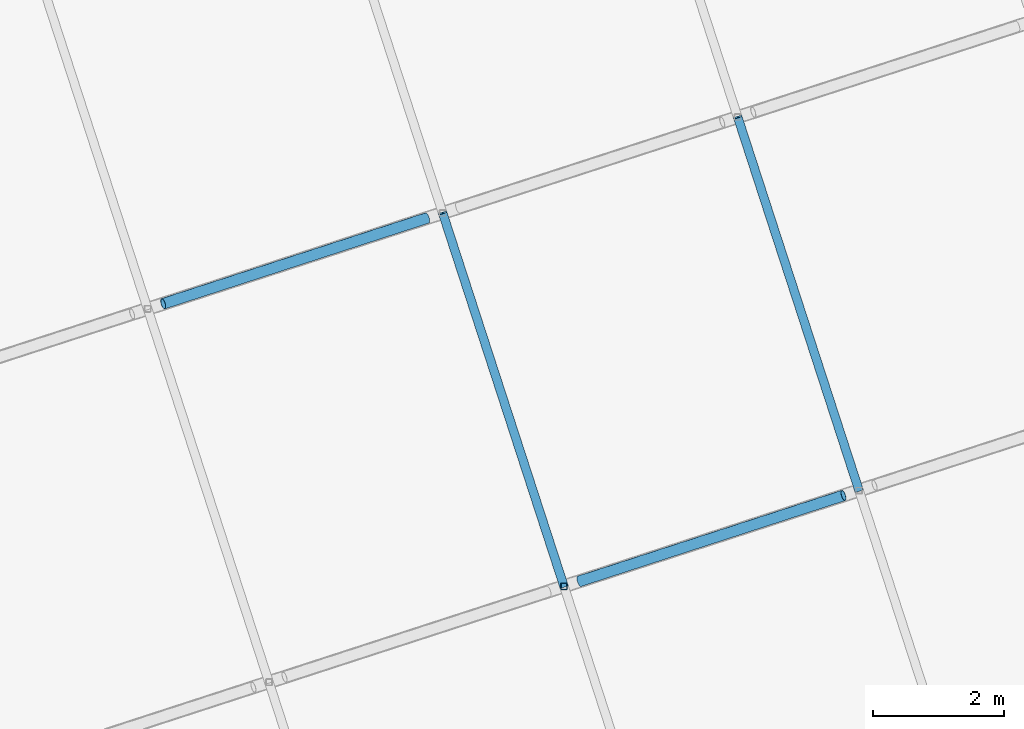
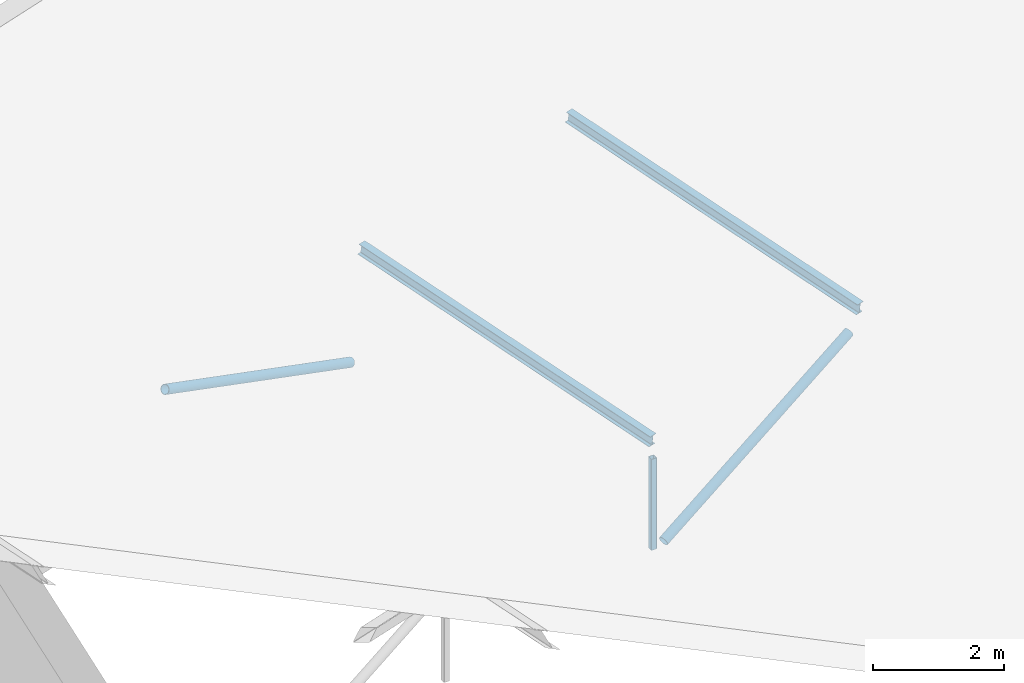
# One storey, part 6 of 55: 5 members.
"""IFC4 building model written with IfcOpenShell, lengths in metres."""

import ifcopenshell
import ifcopenshell.guid

model = None  # the IFC model being written
_history = None  # IfcOwnerHistory: only IFC2X3 demands one
_inside = {}  # id of a spatial element -> (the spatial element, [elements in it])
_under = {}  # id of a project, library or spatial element -> (it, [spatial elements below it])
_declared = {}  # id of a project -> (the project, [libraries it declares])
_typed = {}  # id of a type object -> (the type object, [elements of that type])
_made_of = {}  # id of a material, layer set ... -> (it, [elements and type objects made of it])


def new_model(schema):
    """Start an empty IFC model of exactly this schema.

    Asked for "IFC4X3", IfcOpenShell would pick the latest addendum, in which some entities
    have other attributes; the version numbers below select the first issue.
    IFC2X3 requires an IfcOwnerHistory on every rooted entity: one is made here for all.
    """
    global model, _history
    if schema == "IFC4X3":
        model = ifcopenshell.file(schema_version=(4, 3, 0, 0))
    else:
        model = ifcopenshell.file(schema=schema)
    _inside.clear()
    _under.clear()
    _declared.clear()
    _typed.clear()
    _made_of.clear()
    _history = None
    if model.schema == "IFC2X3":
        org = make("IfcOrganization", Name="unknown")
        user = make(
            "IfcPersonAndOrganization",
            ThePerson=make("IfcPerson", FamilyName="unknown"),
            TheOrganization=org,
        )
        app = make(
            "IfcApplication",
            ApplicationDeveloper=org,
            Version="unknown",
            ApplicationFullName="unknown",
            ApplicationIdentifier="unknown",
        )
        _history = make(
            "IfcOwnerHistory",
            OwningUser=user,
            OwningApplication=app,
            ChangeAction="ADDED",
            CreationDate=0,
        )
    return model


def make(cls, **values):
    """One entity of the class cls with the attributes given. An attribute that is None is left unset."""
    return model.create_entity(
        cls, **{name: value for name, value in values.items() if value is not None}
    )


def rooted(cls, **values):
    """An entity with a GlobalId (a new one), such as an element, a storey or a relation."""
    return make(cls, GlobalId=ifcopenshell.guid.new(), OwnerHistory=_history, **values)


def si_unit(unit_type, name, prefix=None):
    """IfcSIUnit, for example si_unit("LENGTHUNIT", "METRE", prefix="MILLI")."""
    return make("IfcSIUnit", UnitType=unit_type, Prefix=prefix, Name=name)


def assignment(units):
    """IfcUnitAssignment: the units of a project."""
    return None if units is None else make("IfcUnitAssignment", Units=units)


def point(xyz):
    """IfcCartesianPoint."""
    return None if xyz is None else make("IfcCartesianPoint", Coordinates=xyz)


def direction(xyz):
    """IfcDirection."""
    return None if xyz is None else make("IfcDirection", DirectionRatios=xyz)


def frame(location, z_axis=None, x_axis=None):
    """IfcAxis2Placement3D, a coordinate frame: its origin and axes. An axis left out is left unset."""
    return make(
        "IfcAxis2Placement3D",
        Location=point(location),
        Axis=direction(z_axis),
        RefDirection=direction(x_axis),
    )


def frame_2d(location, x_axis=None):
    """IfcAxis2Placement2D, a coordinate frame in the plane: its origin and x axis."""
    return make(
        "IfcAxis2Placement2D", Location=point(location), RefDirection=direction(x_axis)
    )


def origin():
    """The frame at (0, 0, 0) with its axes left unset."""
    return frame((0.0, 0.0, 0.0))


def origin_2d():
    """The frame at (0, 0) in the plane with its x axis left unset."""
    return frame_2d((0.0, 0.0))


def place(relative_to, where):
    """IfcLocalPlacement: puts the frame where relative to a parent placement (None: the world)."""
    return make(
        "IfcLocalPlacement", PlacementRelTo=relative_to, RelativePlacement=where
    )


def context(
    kind, dimensions, precision=None, world=None, true_north=None, identifier=None
):
    """IfcGeometricRepresentationContext, for example the 3D "Model" context."""
    return make(
        "IfcGeometricRepresentationContext",
        ContextIdentifier=identifier,
        ContextType=kind,
        CoordinateSpaceDimension=dimensions,
        Precision=precision,
        WorldCoordinateSystem=world,
        TrueNorth=true_north,
    )


def subcontext(parent, identifier, kind, view, scale=None):
    """IfcGeometricRepresentationSubContext, for example "Body" below "Model"."""
    return make(
        "IfcGeometricRepresentationSubContext",
        ContextIdentifier=identifier,
        ContextType=kind,
        ParentContext=parent,
        TargetScale=scale,
        TargetView=view,
    )


def project(units=None, contexts=None):
    """IfcProject with its units and contexts."""
    return rooted(
        "IfcProject",
        Name="project",
        RepresentationContexts=contexts,
        UnitsInContext=assignment(units),
    )


def spatial(cls, under=None, at=None, **own):
    """A site, building, storey or space (cls), placed at a placement, below another one or the project."""
    s = rooted(cls, ObjectPlacement=at, **own)
    if under is not None:
        _under.setdefault(under.id(), (under, []))[1].append(s)
    return s


def profile(cls, at=None, kind="AREA", **sizes):
    """A parametric profile (cls). Its sizes go by their IFC names, for example OverallWidth=200.0."""
    return make(cls, ProfileType=kind, Position=at, **sizes)


def hollow_rectangle(**sizes):
    """IfcRectangleHollowProfileDef."""
    return profile("IfcRectangleHollowProfileDef", **sizes)


def hollow_circle(**sizes):
    """IfcCircleHollowProfileDef."""
    return profile("IfcCircleHollowProfileDef", **sizes)


def i_section(**sizes):
    """IfcIShapeProfileDef."""
    return profile("IfcIShapeProfileDef", **sizes)


def extrude(swept, where, along, depth):
    """IfcExtrudedAreaSolid: the profile swept, set in the frame where, extruded along a direction by depth."""
    return make(
        "IfcExtrudedAreaSolid",
        SweptArea=swept,
        Position=where,
        ExtrudedDirection=direction(along),
        Depth=depth,
    )


def shape(context_of_items, identifier, shape_type, items):
    """IfcShapeRepresentation: the items that make up one representation, for example the "Body"."""
    return make(
        "IfcShapeRepresentation",
        ContextOfItems=context_of_items,
        RepresentationIdentifier=identifier,
        RepresentationType=shape_type,
        Items=items,
    )


def material(Name=None, Category=None):
    """IfcMaterial."""
    return make("IfcMaterial", Name=Name, Category=Category)


def material_profile(
    of_material, cross_section, Name=None, Category=None, Priority=None
):
    """IfcMaterialProfile: a cross section and its material."""
    return make(
        "IfcMaterialProfile",
        Name=Name,
        Material=of_material,
        Profile=cross_section,
        Priority=Priority,
        Category=Category,
    )


def profile_set(profiles, Name=None, composite=None):
    """IfcMaterialProfileSet."""
    return make(
        "IfcMaterialProfileSet",
        Name=Name,
        MaterialProfiles=profiles,
        CompositeProfile=composite,
    )


def made_of(thing, what):
    """Note that an element or type object is made of a material, layer set ...; save() writes the relation."""
    if what is not None:
        _made_of.setdefault(what.id(), (what, []))[1].append(thing)
    return thing


def type_object(cls, material=None, **own):
    """A type object (cls), such as IfcWallType, which elements share."""
    return made_of(rooted(cls, **own), material)


def element(
    cls,
    number,
    at=None,
    inside=None,
    cuts=None,
    type_object=None,
    material=None,
    context=None,
    identifier="Body",
    shape_type=None,
    held_by="IfcProductDefinitionShape",
    body=None,
    shapes=None,
    **own,
):
    """One element of the class cls, such as IfcWall. Its Tag is "e" and its number.

    at: its placement. inside: the storey or other place that contains it. cuts: it is an
    opening in that element (IfcRelVoidsElement). A single representation is given by context,
    identifier, shape_type and body (its items); several are given by shapes. held_by: the class
    of the entity that holds the representations. save() writes the other relations.
    """
    e = rooted(cls, Tag="e%d" % number, ObjectPlacement=at, **own)
    if body is not None:
        shapes = [shape(context, identifier, shape_type, body)]
    if shapes is not None:
        e.Representation = make(held_by, Representations=shapes)
    if inside is not None:
        _inside.setdefault(inside.id(), (inside, []))[1].append(e)
    if cuts is not None:
        rooted(
            "IfcRelVoidsElement", RelatingBuildingElement=cuts, RelatedOpeningElement=e
        )
    if type_object is not None:
        _typed.setdefault(type_object.id(), (type_object, []))[1].append(e)
    return made_of(e, material)


def aggregate(whole, parts):
    """IfcRelAggregates: a whole, such as a stair, and the parts it consists of."""
    return rooted("IfcRelAggregates", RelatingObject=whole, RelatedObjects=parts)


def save(model, path):
    """Write the relations noted so far, then the file.

    IfcRelAggregates (storeys below a building ...), IfcRelContainedInSpatialStructure (elements
    in a storey), IfcRelDefinesByType, IfcRelAssociatesMaterial and IfcRelDeclares: one each for
    every whole, place, type object, material and project.
    """
    for whole, parts in _under.values():
        aggregate(whole, parts)
    for where, things in _inside.values():
        rooted(
            "IfcRelContainedInSpatialStructure",
            RelatedElements=things,
            RelatingStructure=where,
        )
    for kind, things in _typed.values():
        rooted("IfcRelDefinesByType", RelatedObjects=things, RelatingType=kind)
    for what, things in _made_of.values():
        rooted("IfcRelAssociatesMaterial", RelatedObjects=things, RelatingMaterial=what)
    for by, libraries in _declared.values():
        rooted("IfcRelDeclares", RelatingContext=by, RelatedDefinitions=libraries)
    model.write(path)


model = new_model("IFC4")

# Units and contexts
model_context = context("Model", 3, precision=1e-05, world=origin(), true_north=direction((0.0, 1.0)))
body_context = subcontext(model_context, "Body", "Model", "MODEL_VIEW")
ifc_project = project(units=[si_unit("LENGTHUNIT", "METRE"), si_unit("AREAUNIT", "SQUARE_METRE"), si_unit("VOLUMEUNIT", "CUBIC_METRE"), si_unit("PLANEANGLEUNIT", "RADIAN"), si_unit("MASSUNIT", "GRAM", prefix="KILO")], contexts=[model_context])

# Site, building, storey
site_placement = place(None, origin())
site = spatial("IfcSite", under=ifc_project, at=site_placement, CompositionType="ELEMENT")
building_placement = place(site_placement, origin())
building = spatial("IfcBuilding", under=site, at=building_placement, Name="Tuart Plaza Theatre", CompositionType="ELEMENT")
storey_placement = place(building_placement, frame((0.0, 0.0, 21.5)))
storey = spatial("IfcBuildingStorey", under=building, at=storey_placement, Name="L05", CompositionType="ELEMENT", Elevation=21.5)

# Members
ifc_material_1 = material(Name="Steel Grade C350L0", Category="steel")
ifc_material_profile_1 = material_profile(ifc_material_1, hollow_circle(Radius=0.084228515625, WallThickness=0.00634765625, at=origin_2d()), Name="168.3x6.4 CHS")
ifc_profile_set_1 = profile_set([ifc_material_profile_1], Name="Steel Grade C350L0")
member_type_1 = type_object("IfcMemberType", Name="MEMBER Brace 168.3x6.4 CHS", PredefinedType="BRACE", material=ifc_profile_set_1)
for number, where, z_axis, x_axis, name in (
    (1, (54.8828125, 59.3583984375, -0.1083984375), (0.882822840615, 0.286849316519, 0.371942605385), (-0.309019710385, 0.951055633806, 0.0), "BR15"),
    (2, (48.51904296875, 63.599609375, 2.3837890625), (0.882822840615, 0.286849316519, -0.371942605385), (-0.309019710385, 0.951055633806, 0.0), "BR20"),
):
    element("IfcMember", number, at=place(storey_placement, frame(where, z_axis=z_axis, x_axis=x_axis)), inside=storey, type_object=member_type_1, Name=name, PredefinedType="BRACE", context=body_context, shape_type="SweptSolid", body=[
        extrude(hollow_circle(Radius=0.084228515625, WallThickness=0.00634765625, at=origin_2d()), origin(), (0.0, 0.0, 1.0), 4.570556640625),
    ])
ifc_material_2 = material(Name="Steel Grade C350L0", Category="steel")
ifc_material_profile_2 = material_profile(ifc_material_2, hollow_rectangle(XDim=0.10009765625, YDim=0.10009765625, WallThickness=0.006103515625, InnerFilletRadius=0.006103515625, OuterFilletRadius=0.011962890625, at=origin_2d()), Name="100x100x6 SHS")
ifc_profile_set_2 = profile_set([ifc_material_profile_2], Name="Steel Grade C350L0")
member_type_2 = type_object("IfcMemberType", Name="MEMBER Post 100x100x6 SHS", PredefinedType="POST", material=ifc_profile_set_2)
member_1_placement = place(storey_placement, frame((54.6455078125, 59.28125, -0.1083984375), z_axis=(0.0, 0.0, 1.0), x_axis=(1.0, 0.0, 0.0)))
element("IfcMember", 3, at=member_1_placement, inside=storey, type_object=member_type_2, Name="PO17", PredefinedType="POST", context=body_context, shape_type="SweptSolid", body=[
    extrude(hollow_rectangle(XDim=0.10009765625, YDim=0.10009765625, WallThickness=0.006103515625, InnerFilletRadius=0.006103515625, OuterFilletRadius=0.011962890625, at=origin_2d()), origin(), (0.0, 0.0, 1.0), 1.699951171875),
])
ifc_material_3 = material(Name="Steel Grade 300", Category="steel")
ifc_material_profile_3 = material_profile(ifc_material_3, i_section(OverallWidth=0.133056640625, OverallDepth=0.202880859375, WebThickness=0.005859375, FlangeThickness=0.0078125, FilletRadius=0.0087890625, at=origin_2d()), Name="200UB25.4")
ifc_profile_set_3 = profile_set([ifc_material_profile_3], Name="Steel Grade 300")
member_type_3 = type_object("IfcMemberType", Name="MEMBER Purlin 200UB25.4", PredefinedType="PURLIN", material=ifc_profile_set_3)
member_2_placement = place(storey_placement, frame((54.6455078125, 59.28125, 1.9072265625), z_axis=(-0.306370091382, 0.942869587356, 0.13089808381), x_axis=(-0.951052605696, -0.309029029702, 0.0)))
element("IfcMember", 4, at=member_2_placement, inside=storey, type_object=member_type_3, Name="PU16", PredefinedType="PURLIN", context=body_context, shape_type="SweptSolid", body=[
    extrude(i_section(OverallWidth=0.133056640625, OverallDepth=0.202880859375, WebThickness=0.005859375, FlangeThickness=0.0078125, FilletRadius=0.0087890625, at=origin_2d()), origin(), (0.0, 0.0, 1.0), 6.05224609375),
])
member_3_placement = place(storey_placement, frame((59.155029296875, 60.74658203125, 1.9072265625), z_axis=(-0.306345190325, 0.942876762375, 0.130904680354), x_axis=(-0.95106067854, -0.309004184009, 0.0)))
element("IfcMember", 5, at=member_3_placement, inside=storey, type_object=member_type_3, Name="PU22", PredefinedType="PURLIN", context=body_context, shape_type="SweptSolid", body=[
    extrude(i_section(OverallWidth=0.133056640625, OverallDepth=0.202880859375, WebThickness=0.005859375, FlangeThickness=0.0078125, FilletRadius=0.0087890625, at=origin_2d()), origin(), (0.0, 0.0, 1.0), 6.052001953125),
])

save(model, "model.ifc")
